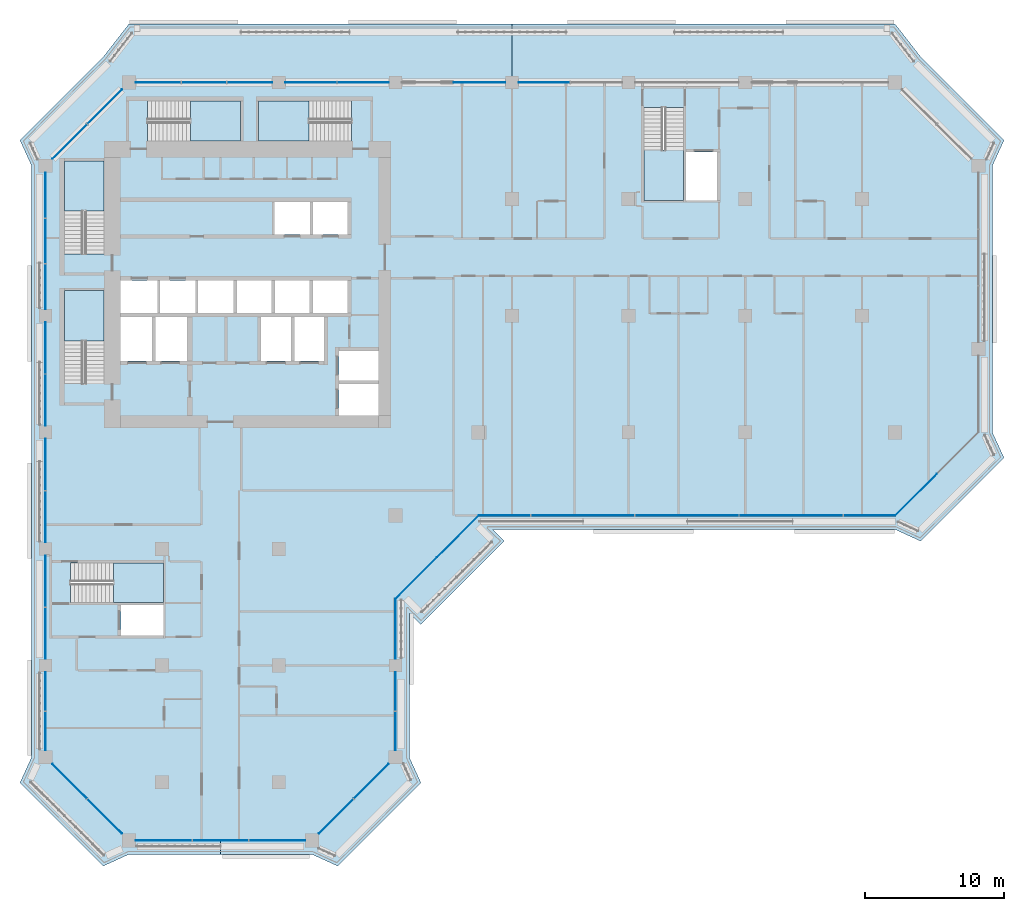
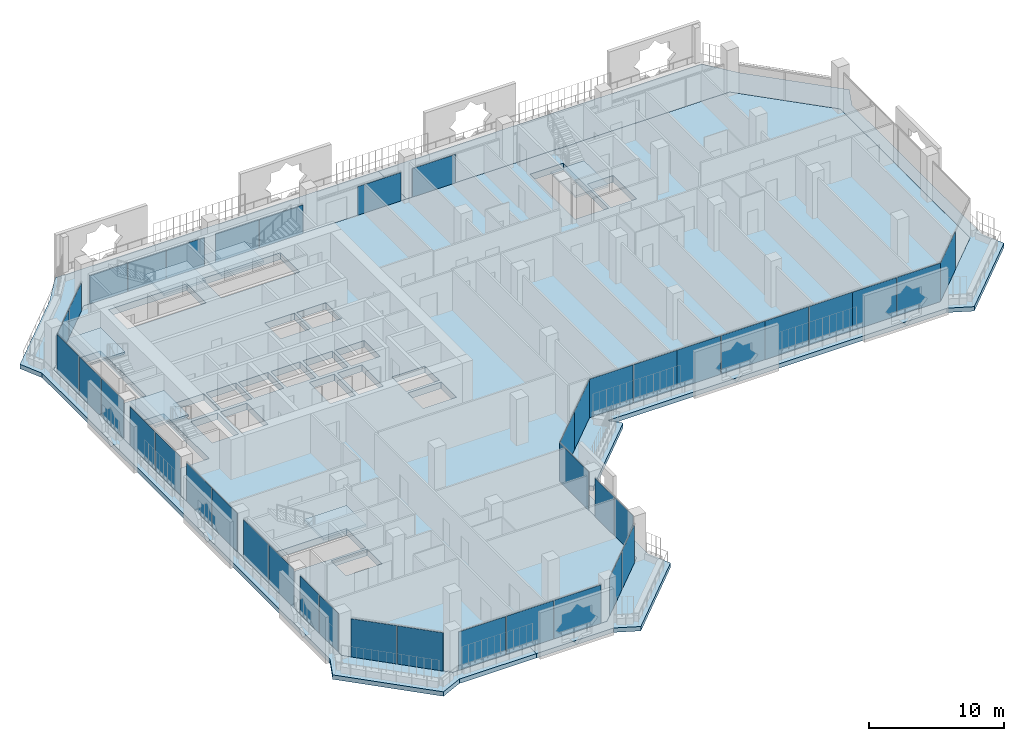
# One storey, part 8 of 22: 41 plates, 9 slabs, 16 elements without a shape of their own.
"""IFC4 building model written with IfcOpenShell, lengths in metres."""

from ifc_helpers import new_model, si_unit, direction, frame, origin, origin_2d, place, context, subcontext, project, spatial, polyline, rectangle, outline, extrude, material, layer, layer_set, type_object, element, aggregate, save


model = new_model("IFC4")

# Units and contexts
model_context = context("Model", 3, precision=1e-05, world=origin(), true_north=direction((0.0, 1.0)))
body_context = subcontext(model_context, "Body", "Model", "MODEL_VIEW")
ifc_project = project(units=[si_unit("LENGTHUNIT", "METRE"), si_unit("AREAUNIT", "SQUARE_METRE"), si_unit("VOLUMEUNIT", "CUBIC_METRE"), si_unit("PLANEANGLEUNIT", "RADIAN"), si_unit("MASSUNIT", "GRAM", prefix="KILO")], contexts=[model_context])

# Site, building, storey
site_placement = place(None, origin())
site = spatial("IfcSite", under=ifc_project, at=site_placement, CompositionType="ELEMENT")
building_placement = place(site_placement, origin())
building = spatial("IfcBuilding", under=site, at=building_placement, Name="Kawkab Arch Medical Tower", CompositionType="ELEMENT")
storey_placement = place(building_placement, frame((0.0, 0.0, 196.199951171875)))
storey = spatial("IfcBuildingStorey", under=building, at=storey_placement, Name="L45", CompositionType="ELEMENT", Elevation=196.199951171875)

# Curtain wall, plates
ifc_material_1 = material(Name="Bronze anodised aluminium curtain wall frame", Category="aluminium")
ifc_layer_1 = layer(ifc_material_1, 0.159912109375)
ifc_layer_set_1 = layer_set([ifc_layer_1], Name="Bronze anodised aluminium curtain wall frame")
curtain_wall_type_1 = type_object("IfcCurtainWallType", Name="CW1 ward curtain wall", PredefinedType="NOTDEFINED", material=ifc_layer_set_1)
placement_1 = place(storey_placement, origin())
curtain_wall_1 = element("IfcCurtainWall", 1, at=placement_1, inside=storey, type_object=curtain_wall_type_1, Name="CW1 Ward curtain wall R01", PredefinedType="NOTDEFINED")
ifc_material_2 = material(Name="Tinted insulating glass, bronze low-e coating", Category="glass")
ifc_layer_2 = layer(ifc_material_2, 0.031982421875)
ifc_layer_set_2 = layer_set([ifc_layer_2], Name="Tinted insulating glass, bronze low-e coating")
plate_type_1 = type_object("IfcPlateType", Name="CW1 glazing unit 32", PredefinedType="CURTAIN_PANEL", material=ifc_layer_set_2)
plate_1_placement = place(storey_placement, frame((0.0, -8.12255859375, 0.0), z_axis=(0.0, 0.0, 1.0), x_axis=(0.0, -1.0, 0.0)))
plate_1 = element("IfcPlate", 2, at=plate_1_placement, type_object=plate_type_1, Name="CW1 glazing unit 1.1", PredefinedType="CURTAIN_PANEL", context=body_context, shape_type="SweptSolid", body=[
    extrude(rectangle(XDim=3.2451171875, YDim=0.031982421875, at=origin_2d()), origin(), (0.0, 0.0, 1.0), 3.47998046875),
])
plate_2_placement = place(storey_placement, frame((0.0, -11.41259765625, 0.0), z_axis=(0.0, 0.0, 1.0), x_axis=(0.0, -1.0, 0.0)))
plate_2 = element("IfcPlate", 3, at=plate_2_placement, type_object=plate_type_1, Name="CW1 glazing unit 1.2", PredefinedType="CURTAIN_PANEL", context=body_context, shape_type="SweptSolid", body=[
    extrude(rectangle(XDim=3.215087890625, YDim=0.031982421875, at=origin_2d()), origin(), (0.0, 0.0, 1.0), 3.47998046875),
])
plate_3_placement = place(storey_placement, frame((0.0, -14.702392578125, 0.0), z_axis=(0.0, 0.0, 1.0), x_axis=(0.0, -1.0, 0.0)))
plate_3 = element("IfcPlate", 4, at=plate_3_placement, type_object=plate_type_1, Name="CW1 glazing unit 1.3", PredefinedType="CURTAIN_PANEL", context=body_context, shape_type="SweptSolid", body=[
    extrude(rectangle(XDim=3.2451171875, YDim=0.031982421875, at=origin_2d()), origin(), (0.0, 0.0, 1.0), 3.47998046875),
])
plate_4_placement = place(storey_placement, frame((0.0, -19.12255859375, 0.0), z_axis=(0.0, 0.0, 1.0), x_axis=(0.0, -1.0, 0.0)))
plate_4 = element("IfcPlate", 5, at=plate_4_placement, type_object=plate_type_1, Name="CW1 glazing unit 2.1", PredefinedType="CURTAIN_PANEL", context=body_context, shape_type="SweptSolid", body=[
    extrude(rectangle(XDim=3.695068359375, YDim=0.031982421875, at=origin_2d()), origin(), (0.0, 0.0, 1.0), 3.47998046875),
])
plate_5_placement = place(storey_placement, frame((0.0, -22.87744140625, 0.0), z_axis=(0.0, 0.0, 1.0), x_axis=(0.0, -1.0, 0.0)))
plate_5 = element("IfcPlate", 6, at=plate_5_placement, type_object=plate_type_1, Name="CW1 glazing unit 2.2", PredefinedType="CURTAIN_PANEL", context=body_context, shape_type="SweptSolid", body=[
    extrude(rectangle(XDim=3.695068359375, YDim=0.031982421875, at=origin_2d()), origin(), (0.0, 0.0, 1.0), 3.47998046875),
])
plate_6_placement = place(storey_placement, frame((0.0, -27.5224609375, 0.0), z_axis=(0.0, 0.0, 1.0), x_axis=(0.0, -1.0, 0.0)))
plate_6 = element("IfcPlate", 7, at=plate_6_placement, type_object=plate_type_1, Name="CW1 glazing unit 3.1", PredefinedType="CURTAIN_PANEL", context=body_context, shape_type="SweptSolid", body=[
    extrude(rectangle(XDim=3.695068359375, YDim=0.031982421875, at=origin_2d()), origin(), (0.0, 0.0, 1.0), 3.47998046875),
])
plate_7_placement = place(storey_placement, frame((0.0, -31.277587890625, 0.0), z_axis=(0.0, 0.0, 1.0), x_axis=(0.0, -1.0, 0.0)))
plate_7 = element("IfcPlate", 8, at=plate_7_placement, type_object=plate_type_1, Name="CW1 glazing unit 3.2", PredefinedType="CURTAIN_PANEL", context=body_context, shape_type="SweptSolid", body=[
    extrude(rectangle(XDim=3.695068359375, YDim=0.031982421875, at=origin_2d()), origin(), (0.0, 0.0, 1.0), 3.47998046875),
])
plate_8_placement = place(storey_placement, frame((0.0, -35.922607421875, 0.0), z_axis=(0.0, 0.0, 1.0), x_axis=(0.0, -1.0, 0.0)))
plate_8 = element("IfcPlate", 9, at=plate_8_placement, type_object=plate_type_1, Name="CW1 glazing unit 4.1", PredefinedType="CURTAIN_PANEL", context=body_context, shape_type="SweptSolid", body=[
    extrude(rectangle(XDim=3.695068359375, YDim=0.031982421875, at=origin_2d()), origin(), (0.0, 0.0, 1.0), 3.47998046875),
])
plate_9_placement = place(storey_placement, frame((0.0, -39.677490234375, 0.0), z_axis=(0.0, 0.0, 1.0), x_axis=(0.0, -1.0, 0.0)))
plate_9 = element("IfcPlate", 10, at=plate_9_placement, type_object=plate_type_1, Name="CW1 glazing unit 4.2", PredefinedType="CURTAIN_PANEL", context=body_context, shape_type="SweptSolid", body=[
    extrude(rectangle(XDim=3.695068359375, YDim=0.031982421875, at=origin_2d()), origin(), (0.0, 0.0, 1.0), 3.47998046875),
])
plate_10_placement = place(storey_placement, frame((0.0, -43.8662109375, 0.0), z_axis=(0.0, 0.0, 1.0), x_axis=(0.0, -1.0, 0.0)))
plate_10 = element("IfcPlate", 11, at=plate_10_placement, type_object=plate_type_1, Name="CW1 glazing unit 5.1", PredefinedType="CURTAIN_PANEL", context=body_context, shape_type="SweptSolid", body=[
    extrude(rectangle(XDim=2.782470703125, YDim=0.031982421875, at=origin_2d()), origin(), (0.0, 0.0, 1.0), 3.47998046875),
])
plate_11_placement = place(storey_placement, frame((0.0, -46.708740234375, 0.0), z_axis=(0.0, 0.0, 1.0), x_axis=(0.0, -1.0, 0.0)))
plate_11 = element("IfcPlate", 12, at=plate_11_placement, type_object=plate_type_1, Name="CW1 glazing unit 5.2", PredefinedType="CURTAIN_PANEL", context=body_context, shape_type="SweptSolid", body=[
    extrude(rectangle(XDim=2.782470703125, YDim=0.031982421875, at=origin_2d()), origin(), (0.0, 0.0, 1.0), 3.47998046875),
])
aggregate(curtain_wall_1, [plate_1, plate_2, plate_3, plate_4, plate_5, plate_6, plate_7, plate_8, plate_9, plate_10, plate_11])

curtain_wall_2 = element("IfcCurtainWall", 13, at=placement_1, inside=storey, type_object=curtain_wall_type_1, Name="CW1 Ward curtain wall R03", PredefinedType="NOTDEFINED")
plate_12_placement = place(storey_placement, frame((8.518310546875, -54.60009765625, 0.0), z_axis=(0.0, 0.0, 1.0), x_axis=(1.0, 0.0, 0.0)))
plate_12 = element("IfcPlate", 14, at=plate_12_placement, type_object=plate_type_1, Name="CW1 glazing unit 1.1", PredefinedType="CURTAIN_PANEL", context=body_context, shape_type="SweptSolid", body=[
    extrude(rectangle(XDim=4.03662109375, YDim=0.031982421875, at=origin_2d()), origin(), (0.0, 0.0, 1.0), 3.47998046875),
])
plate_13_placement = place(storey_placement, frame((12.60009765625, -54.60009765625, 0.0), z_axis=(0.0, 0.0, 1.0), x_axis=(1.0, 0.0, 0.0)))
plate_13 = element("IfcPlate", 15, at=plate_13_placement, type_object=plate_type_1, Name="CW1 glazing unit 1.2", PredefinedType="CURTAIN_PANEL", context=body_context, shape_type="SweptSolid", body=[
    extrude(rectangle(XDim=4.006591796875, YDim=0.031982421875, at=origin_2d()), origin(), (0.0, 0.0, 1.0), 3.47998046875),
])
plate_14_placement = place(storey_placement, frame((16.681640625, -54.60009765625, 0.0), z_axis=(0.0, 0.0, 1.0), x_axis=(1.0, 0.0, 0.0)))
plate_14 = element("IfcPlate", 16, at=plate_14_placement, type_object=plate_type_1, Name="CW1 glazing unit 1.3", PredefinedType="CURTAIN_PANEL", context=body_context, shape_type="SweptSolid", body=[
    extrude(rectangle(XDim=4.03662109375, YDim=0.031982421875, at=origin_2d()), origin(), (0.0, 0.0, 1.0), 3.47998046875),
])
aggregate(curtain_wall_2, [plate_12, plate_13, plate_14])

curtain_wall_3 = element("IfcCurtainWall", 17, at=placement_1, inside=storey, type_object=curtain_wall_type_1, Name="CW1 Ward curtain wall R05", PredefinedType="NOTDEFINED")
plate_15_placement = place(storey_placement, frame((25.199951171875, -46.708740234375, 0.0), z_axis=(0.0, 0.0, 1.0), x_axis=(0.0, 1.0, 0.0)))
plate_15 = element("IfcPlate", 18, at=plate_15_placement, type_object=plate_type_1, Name="CW1 glazing unit 1.1", PredefinedType="CURTAIN_PANEL", context=body_context, shape_type="SweptSolid", body=[
    extrude(rectangle(XDim=2.782470703125, YDim=0.031982421875, at=origin_2d()), origin(), (0.0, 0.0, 1.0), 3.47998046875),
])
plate_16_placement = place(storey_placement, frame((25.199951171875, -43.8662109375, 0.0), z_axis=(0.0, 0.0, 1.0), x_axis=(0.0, 1.0, 0.0)))
plate_16 = element("IfcPlate", 19, at=plate_16_placement, type_object=plate_type_1, Name="CW1 glazing unit 1.2", PredefinedType="CURTAIN_PANEL", context=body_context, shape_type="SweptSolid", body=[
    extrude(rectangle(XDim=2.782470703125, YDim=0.031982421875, at=origin_2d()), origin(), (0.0, 0.0, 1.0), 3.47998046875),
])
plate_17_placement = place(storey_placement, frame((25.199951171875, -39.362548828125, 0.0), z_axis=(0.0, 0.0, 1.0), x_axis=(0.0, 1.0, 0.0)))
plate_17 = element("IfcPlate", 20, at=plate_17_placement, type_object=plate_type_1, Name="CW1 glazing unit 2.1", PredefinedType="CURTAIN_PANEL", context=body_context, shape_type="SweptSolid", body=[
    extrude(rectangle(XDim=4.324951171875, YDim=0.031982421875, at=origin_2d()), origin(), (0.0, 0.0, 1.0), 3.47998046875),
])
aggregate(curtain_wall_3, [plate_15, plate_16, plate_17])

curtain_wall_4 = element("IfcCurtainWall", 21, at=placement_1, inside=storey, type_object=curtain_wall_type_1, Name="CW1 Ward curtain wall R07", PredefinedType="NOTDEFINED")
plate_18_placement = place(storey_placement, frame((33.06005859375, -31.199951171875, 0.0), z_axis=(0.0, 0.0, 1.0), x_axis=(1.0, 0.0, 0.0)))
plate_18 = element("IfcPlate", 22, at=plate_18_placement, type_object=plate_type_1, Name="CW1 glazing unit 1.1", PredefinedType="CURTAIN_PANEL", context=body_context, shape_type="SweptSolid", body=[
    extrude(rectangle(XDim=3.719970703125, YDim=0.031982421875, at=origin_2d()), origin(), (0.0, 0.0, 1.0), 3.47998046875),
])
plate_19_placement = place(storey_placement, frame((36.840087890625, -31.199951171875, 0.0), z_axis=(0.0, 0.0, 1.0), x_axis=(1.0, 0.0, 0.0)))
plate_19 = element("IfcPlate", 23, at=plate_19_placement, type_object=plate_type_1, Name="CW1 glazing unit 1.2", PredefinedType="CURTAIN_PANEL", context=body_context, shape_type="SweptSolid", body=[
    extrude(rectangle(XDim=3.719970703125, YDim=0.031982421875, at=origin_2d()), origin(), (0.0, 0.0, 1.0), 3.47998046875),
])
plate_20_placement = place(storey_placement, frame((40.56005859375, -31.199951171875, 0.0), z_axis=(0.0, 0.0, 1.0), x_axis=(1.0, 0.0, 0.0)))
plate_20 = element("IfcPlate", 24, at=plate_20_placement, type_object=plate_type_1, Name="CW1 glazing unit 2.1", PredefinedType="CURTAIN_PANEL", context=body_context, shape_type="SweptSolid", body=[
    extrude(rectangle(XDim=3.719970703125, YDim=0.031982421875, at=origin_2d()), origin(), (0.0, 0.0, 1.0), 3.47998046875),
])
plate_21_placement = place(storey_placement, frame((44.340087890625, -31.199951171875, 0.0), z_axis=(0.0, 0.0, 1.0), x_axis=(1.0, 0.0, 0.0)))
plate_21 = element("IfcPlate", 25, at=plate_21_placement, type_object=plate_type_1, Name="CW1 glazing unit 2.2", PredefinedType="CURTAIN_PANEL", context=body_context, shape_type="SweptSolid", body=[
    extrude(rectangle(XDim=3.719970703125, YDim=0.031982421875, at=origin_2d()), origin(), (0.0, 0.0, 1.0), 3.47998046875),
])
plate_22_placement = place(storey_placement, frame((48.06005859375, -31.199951171875, 0.0), z_axis=(0.0, 0.0, 1.0), x_axis=(1.0, 0.0, 0.0)))
plate_22 = element("IfcPlate", 26, at=plate_22_placement, type_object=plate_type_1, Name="CW1 glazing unit 3.1", PredefinedType="CURTAIN_PANEL", context=body_context, shape_type="SweptSolid", body=[
    extrude(rectangle(XDim=3.719970703125, YDim=0.031982421875, at=origin_2d()), origin(), (0.0, 0.0, 1.0), 3.47998046875),
])
plate_23_placement = place(storey_placement, frame((51.840087890625, -31.199951171875, 0.0), z_axis=(0.0, 0.0, 1.0), x_axis=(1.0, 0.0, 0.0)))
plate_23 = element("IfcPlate", 27, at=plate_23_placement, type_object=plate_type_1, Name="CW1 glazing unit 3.2", PredefinedType="CURTAIN_PANEL", context=body_context, shape_type="SweptSolid", body=[
    extrude(rectangle(XDim=3.719970703125, YDim=0.031982421875, at=origin_2d()), origin(), (0.0, 0.0, 1.0), 3.47998046875),
])
plate_24_placement = place(storey_placement, frame((55.56005859375, -31.199951171875, 0.0), z_axis=(0.0, 0.0, 1.0), x_axis=(1.0, 0.0, 0.0)))
plate_24 = element("IfcPlate", 28, at=plate_24_placement, type_object=plate_type_1, Name="CW1 glazing unit 4.1", PredefinedType="CURTAIN_PANEL", context=body_context, shape_type="SweptSolid", body=[
    extrude(rectangle(XDim=3.719970703125, YDim=0.031982421875, at=origin_2d()), origin(), (0.0, 0.0, 1.0), 3.47998046875),
])
plate_25_placement = place(storey_placement, frame((59.340087890625, -31.199951171875, 0.0), z_axis=(0.0, 0.0, 1.0), x_axis=(1.0, 0.0, 0.0)))
plate_25 = element("IfcPlate", 29, at=plate_25_placement, type_object=plate_type_1, Name="CW1 glazing unit 4.2", PredefinedType="CURTAIN_PANEL", context=body_context, shape_type="SweptSolid", body=[
    extrude(rectangle(XDim=3.719970703125, YDim=0.031982421875, at=origin_2d()), origin(), (0.0, 0.0, 1.0), 3.47998046875),
])
aggregate(curtain_wall_4, [plate_18, plate_19, plate_20, plate_21, plate_22, plate_23, plate_24, plate_25])

curtain_wall_5 = element("IfcCurtainWall", 30, at=placement_1, inside=storey, type_object=curtain_wall_type_1, Name="CW1 Ward curtain wall R11", PredefinedType="NOTDEFINED")
plate_26_placement = place(storey_placement, frame((35.922607421875, 0.0, 0.0), z_axis=(0.0, 0.0, 1.0), x_axis=(-1.0, 0.0, 0.0)))
plate_26 = element("IfcPlate", 31, at=plate_26_placement, type_object=plate_type_1, Name="CW1 glazing unit 3.2", PredefinedType="CURTAIN_PANEL", context=body_context, shape_type="SweptSolid", body=[
    extrude(rectangle(XDim=3.695068359375, YDim=0.031982421875, at=origin_2d()), origin(), (0.0, 0.0, 1.0), 2.580078125),
])
plate_27_placement = place(storey_placement, frame((31.262451171875, 0.0, 0.0), z_axis=(0.0, 0.0, 1.0), x_axis=(-1.0, 0.0, 0.0)))
plate_27 = element("IfcPlate", 32, at=plate_27_placement, type_object=plate_type_1, Name="CW1 glazing unit 4.1", PredefinedType="CURTAIN_PANEL", context=body_context, shape_type="SweptSolid", body=[
    extrude(rectangle(XDim=3.72509765625, YDim=0.031982421875, at=origin_2d()), origin(), (0.0, 0.0, 1.0), 2.580078125),
])
plate_28_placement = place(storey_placement, frame((22.87744140625, 0.0, 0.0), z_axis=(0.0, 0.0, 1.0), x_axis=(-1.0, 0.0, 0.0)))
plate_28 = element("IfcPlate", 33, at=plate_28_placement, type_object=plate_type_1, Name="CW1 glazing unit 5.1", PredefinedType="CURTAIN_PANEL", context=body_context, shape_type="SweptSolid", body=[
    extrude(rectangle(XDim=3.695068359375, YDim=0.031982421875, at=origin_2d()), origin(), (0.0, 0.0, 1.0), 2.580078125),
])
plate_29_placement = place(storey_placement, frame((19.12255859375, 0.0, 0.0), z_axis=(0.0, 0.0, 1.0), x_axis=(-1.0, 0.0, 0.0)))
plate_29 = element("IfcPlate", 34, at=plate_29_placement, type_object=plate_type_1, Name="CW1 glazing unit 5.2", PredefinedType="CURTAIN_PANEL", context=body_context, shape_type="SweptSolid", body=[
    extrude(rectangle(XDim=3.695068359375, YDim=0.031982421875, at=origin_2d()), origin(), (0.0, 0.0, 1.0), 2.580078125),
])
plate_30_placement = place(storey_placement, frame((14.702392578125, 0.0, 0.0), z_axis=(0.0, 0.0, 1.0), x_axis=(-1.0, 0.0, 0.0)))
plate_30 = element("IfcPlate", 35, at=plate_30_placement, type_object=plate_type_1, Name="CW1 glazing unit 6.1", PredefinedType="CURTAIN_PANEL", context=body_context, shape_type="SweptSolid", body=[
    extrude(rectangle(XDim=3.2451171875, YDim=0.031982421875, at=origin_2d()), origin(), (0.0, 0.0, 1.0), 2.580078125),
])
plate_31_placement = place(storey_placement, frame((11.41259765625, 0.0, 0.0), z_axis=(0.0, 0.0, 1.0), x_axis=(-1.0, 0.0, 0.0)))
plate_31 = element("IfcPlate", 36, at=plate_31_placement, type_object=plate_type_1, Name="CW1 glazing unit 6.2", PredefinedType="CURTAIN_PANEL", context=body_context, shape_type="SweptSolid", body=[
    extrude(rectangle(XDim=3.215087890625, YDim=0.031982421875, at=origin_2d()), origin(), (0.0, 0.0, 1.0), 2.580078125),
])
plate_32_placement = place(storey_placement, frame((8.12255859375, 0.0, 0.0), z_axis=(0.0, 0.0, 1.0), x_axis=(-1.0, 0.0, 0.0)))
plate_32 = element("IfcPlate", 37, at=plate_32_placement, type_object=plate_type_1, Name="CW1 glazing unit 6.3", PredefinedType="CURTAIN_PANEL", context=body_context, shape_type="SweptSolid", body=[
    extrude(rectangle(XDim=3.2451171875, YDim=0.031982421875, at=origin_2d()), origin(), (0.0, 0.0, 1.0), 2.580078125),
])
aggregate(curtain_wall_5, [plate_26, plate_27, plate_28, plate_29, plate_30, plate_31, plate_32])

ifc_material_3 = material(Name="Bronze anodised aluminium curtain wall frame", Category="aluminium")
ifc_layer_3 = layer(ifc_material_3, 0.159912109375)
ifc_layer_set_3 = layer_set([ifc_layer_3], Name="Bronze anodised aluminium curtain wall frame")
curtain_wall_type_2 = type_object("IfcCurtainWallType", Name="CW2 chamfer curtain wall", PredefinedType="NOTDEFINED", material=ifc_layer_set_3)
curtain_wall_6 = element("IfcCurtainWall", 38, at=placement_1, inside=storey, type_object=curtain_wall_type_2, Name="CW2 Chamfer curtain wall R02", PredefinedType="NOTDEFINED")
ifc_material_4 = material(Name="Tinted insulating glass, bronze low-e coating", Category="glass")
ifc_layer_4 = layer(ifc_material_4, 0.031982421875)
ifc_layer_set_4 = layer_set([ifc_layer_4], Name="Tinted insulating glass, bronze low-e coating")
plate_type_2 = type_object("IfcPlateType", Name="CW2 glazing unit 32", PredefinedType="CURTAIN_PANEL", material=ifc_layer_set_4)
plate_33_placement = place(storey_placement, frame((1.739501953125, -50.33935546875, 0.0), z_axis=(0.0, 0.0, 1.0), x_axis=(0.707106781187, -0.707106781187, 0.0)))
plate_33 = element("IfcPlate", 39, at=plate_33_placement, type_object=plate_type_2, Name="CW2 glazing unit 1.1", PredefinedType="CURTAIN_PANEL", context=body_context, shape_type="SweptSolid", body=[
    extrude(rectangle(XDim=3.505615234375, YDim=0.031982421875, at=origin_2d()), origin(), (0.0, 0.0, 1.0), 3.4599609375),
])
plate_34_placement = place(storey_placement, frame((4.260498046875, -52.860595703125, 0.0), z_axis=(0.0, 0.0, 1.0), x_axis=(0.707106781187, -0.707106781187, 0.0)))
plate_34 = element("IfcPlate", 40, at=plate_34_placement, type_object=plate_type_2, Name="CW2 glazing unit 1.2", PredefinedType="CURTAIN_PANEL", context=body_context, shape_type="SweptSolid", body=[
    extrude(rectangle(XDim=3.505615234375, YDim=0.031982421875, at=origin_2d()), origin(), (0.0, 0.0, 1.0), 3.4599609375),
])
aggregate(curtain_wall_6, [plate_33, plate_34])

curtain_wall_7 = element("IfcCurtainWall", 41, at=placement_1, inside=storey, type_object=curtain_wall_type_2, Name="CW2 Chamfer curtain wall R04", PredefinedType="NOTDEFINED")
plate_35_placement = place(storey_placement, frame((20.939453125, -52.860595703125, 0.0), z_axis=(0.0, 0.0, 1.0), x_axis=(0.707106781187, 0.707106781187, 0.0)))
plate_35 = element("IfcPlate", 42, at=plate_35_placement, type_object=plate_type_2, Name="CW2 glazing unit 1.1", PredefinedType="CURTAIN_PANEL", context=body_context, shape_type="SweptSolid", body=[
    extrude(rectangle(XDim=3.505615234375, YDim=0.031982421875, at=origin_2d()), origin(), (0.0, 0.0, 1.0), 3.4599609375),
])
plate_36_placement = place(storey_placement, frame((23.460693359375, -50.33935546875, 0.0), z_axis=(0.0, 0.0, 1.0), x_axis=(0.707106781187, 0.707106781187, 0.0)))
plate_36 = element("IfcPlate", 43, at=plate_36_placement, type_object=plate_type_2, Name="CW2 glazing unit 1.2", PredefinedType="CURTAIN_PANEL", context=body_context, shape_type="SweptSolid", body=[
    extrude(rectangle(XDim=3.505615234375, YDim=0.031982421875, at=origin_2d()), origin(), (0.0, 0.0, 1.0), 3.4599609375),
])
aggregate(curtain_wall_7, [plate_35, plate_36])

curtain_wall_8 = element("IfcCurtainWall", 44, at=placement_1, inside=storey, type_object=curtain_wall_type_2, Name="CW2 Chamfer curtain wall R06", PredefinedType="NOTDEFINED")
plate_37_placement = place(storey_placement, frame((26.699951171875, -35.699951171875, 0.0), z_axis=(0.0, 0.0, 1.0), x_axis=(0.707106781187, 0.707106781187, 0.0)))
plate_37 = element("IfcPlate", 45, at=plate_37_placement, type_object=plate_type_2, Name="CW2 glazing unit 1.1", PredefinedType="CURTAIN_PANEL", context=body_context, shape_type="SweptSolid", body=[
    extrude(rectangle(XDim=4.24267578125, YDim=0.031982421875, at=origin_2d()), origin(), (0.0, 0.0, 1.0), 3.4599609375),
])
plate_38_placement = place(storey_placement, frame((29.699951171875, -32.699951171875, 0.0), z_axis=(0.0, 0.0, 1.0), x_axis=(0.707106781187, 0.707106781187, 0.0)))
plate_38 = element("IfcPlate", 46, at=plate_38_placement, type_object=plate_type_2, Name="CW2 glazing unit 2.1", PredefinedType="CURTAIN_PANEL", context=body_context, shape_type="SweptSolid", body=[
    extrude(rectangle(XDim=4.24267578125, YDim=0.031982421875, at=origin_2d()), origin(), (0.0, 0.0, 1.0), 3.4599609375),
])
aggregate(curtain_wall_8, [plate_37, plate_38])

# Curtain wall, plate
curtain_wall_9 = element("IfcCurtainWall", 47, at=placement_1, inside=storey, type_object=curtain_wall_type_2, Name="CW2 Chamfer curtain wall R08", PredefinedType="NOTDEFINED")
plate_39_placement = place(storey_placement, frame((62.699951171875, -29.699951171875, 0.0), z_axis=(0.0, 0.0, 1.0), x_axis=(0.707106781187, 0.707106781187, 0.0)))
plate_39 = element("IfcPlate", 48, at=plate_39_placement, type_object=plate_type_2, Name="CW2 glazing unit 1.1", PredefinedType="CURTAIN_PANEL", context=body_context, shape_type="SweptSolid", body=[
    extrude(rectangle(XDim=4.24267578125, YDim=0.031982421875, at=origin_2d()), origin(), (0.0, 0.0, 1.0), 3.4599609375),
])
aggregate(curtain_wall_9, [plate_39])

# Curtain wall, plates
curtain_wall_10 = element("IfcCurtainWall", 49, at=placement_1, inside=storey, type_object=curtain_wall_type_2, Name="CW2 Chamfer curtain wall R12", PredefinedType="NOTDEFINED")
plate_40_placement = place(storey_placement, frame((4.260498046875, -1.739501953125, 0.0), z_axis=(0.0, 0.0, 1.0), x_axis=(-0.707106781187, -0.707106781187, 0.0)))
plate_40 = element("IfcPlate", 50, at=plate_40_placement, type_object=plate_type_2, Name="CW2 glazing unit 1.1", PredefinedType="CURTAIN_PANEL", context=body_context, shape_type="SweptSolid", body=[
    extrude(rectangle(XDim=3.505615234375, YDim=0.031982421875, at=origin_2d()), origin(), (0.0, 0.0, 1.0), 2.56005859375),
])
plate_41_placement = place(storey_placement, frame((1.739501953125, -4.260498046875, 0.0), z_axis=(0.0, 0.0, 1.0), x_axis=(-0.707106781187, -0.707106781187, 0.0)))
plate_41 = element("IfcPlate", 51, at=plate_41_placement, type_object=plate_type_2, Name="CW2 glazing unit 1.2", PredefinedType="CURTAIN_PANEL", context=body_context, shape_type="SweptSolid", body=[
    extrude(rectangle(XDim=3.505615234375, YDim=0.031982421875, at=origin_2d()), origin(), (0.0, 0.0, 1.0), 2.56005859375),
])
aggregate(curtain_wall_10, [plate_40, plate_41])

# Stair, slab
ifc_material_5 = material(Name="Concrete C40/50", Category="concrete")
stair_type = type_object("IfcStairType", Name="Exit stair 1350", PredefinedType="HALF_TURN_STAIR", material=ifc_material_5)
stair_1 = element("IfcStair", 52, at=placement_1, inside=storey, type_object=stair_type, Name="L45 Exit stair ST1", PredefinedType="HALF_TURN_STAIR")
ifc_material_6 = material(Name="Concrete C40/50", Category="concrete")
ifc_layer_5 = layer(ifc_material_6, 0.199951171875)
ifc_layer_set_5 = layer_set([ifc_layer_5], Name="Concrete C40/50")
slab_type_1 = type_object("IfcSlabType", Name="Exit stair landing 200", PredefinedType="LANDING", material=ifc_layer_set_5)
placement_2 = place(storey_placement, frame((0.0, 0.0, 1.900146484375)))
slab_1 = element("IfcSlab", 53, at=placement_2, type_object=slab_type_1, Name="ST1 landing 1", PredefinedType="LANDING", context=body_context, shape_type="SweptSolid", body=[
    extrude(outline(polyline([(4.199951171875, -9.27001953125), (4.199951171875, -5.64990234375), (1.35009765625, -5.64990234375), (1.35009765625, -9.27001953125), (4.199951171875, -9.27001953125)])), origin(), (0.0, 0.0, 1.0), 0.199951171875),
])
aggregate(stair_1, [slab_1])

stair_2 = element("IfcStair", 54, at=placement_1, inside=storey, type_object=stair_type, Name="L45 Exit stair ST2", PredefinedType="HALF_TURN_STAIR")
slab_2 = element("IfcSlab", 55, at=placement_2, type_object=slab_type_1, Name="ST2 landing 1", PredefinedType="LANDING", context=body_context, shape_type="SweptSolid", body=[
    extrude(outline(polyline([(4.199951171875, -18.6201171875), (4.199951171875, -15.0), (1.35009765625, -15.0), (1.35009765625, -18.6201171875), (4.199951171875, -18.6201171875)])), origin(), (0.0, 0.0, 1.0), 0.199951171875),
])
aggregate(stair_2, [slab_2])

stair_3 = element("IfcStair", 56, at=placement_1, inside=storey, type_object=stair_type, Name="L45 Exit stair ST3", PredefinedType="HALF_TURN_STAIR")
slab_3 = element("IfcSlab", 57, at=placement_2, type_object=slab_type_1, Name="ST3 landing 1", PredefinedType="LANDING", context=body_context, shape_type="SweptSolid", body=[
    extrude(outline(polyline([(10.429931640625, -4.199951171875), (14.050048828125, -4.199951171875), (14.050048828125, -1.35009765625), (10.429931640625, -1.35009765625), (10.429931640625, -4.199951171875)])), origin(), (0.0, 0.0, 1.0), 0.199951171875),
])
aggregate(stair_3, [slab_3])

stair_4 = element("IfcStair", 58, at=placement_1, inside=storey, type_object=stair_type, Name="L45 Exit stair ST4", PredefinedType="HALF_TURN_STAIR")
slab_4 = element("IfcSlab", 59, at=placement_2, type_object=slab_type_1, Name="ST4 landing 1", PredefinedType="LANDING", context=body_context, shape_type="SweptSolid", body=[
    extrude(outline(polyline([(18.969970703125, -1.35009765625), (15.35009765625, -1.35009765625), (15.35009765625, -4.199951171875), (18.969970703125, -4.199951171875), (18.969970703125, -1.35009765625)])), origin(), (0.0, 0.0, 1.0), 0.199951171875),
])
aggregate(stair_4, [slab_4])

stair_5 = element("IfcStair", 60, at=placement_1, inside=storey, type_object=stair_type, Name="L45 Exit stair ST5", PredefinedType="HALF_TURN_STAIR")
slab_5 = element("IfcSlab", 61, at=placement_2, type_object=slab_type_1, Name="ST5 landing 1", PredefinedType="LANDING", context=body_context, shape_type="SweptSolid", body=[
    extrude(outline(polyline([(43.10009765625, -4.8798828125), (43.10009765625, -8.5), (45.949951171875, -8.5), (45.949951171875, -4.8798828125), (43.10009765625, -4.8798828125)])), origin(), (0.0, 0.0, 1.0), 0.199951171875),
])
aggregate(stair_5, [slab_5])

stair_6 = element("IfcStair", 62, at=placement_1, inside=storey, type_object=stair_type, Name="L45 Exit stair ST6", PredefinedType="HALF_TURN_STAIR")
slab_6 = element("IfcSlab", 63, at=placement_2, type_object=slab_type_1, Name="ST6 landing 1", PredefinedType="LANDING", context=body_context, shape_type="SweptSolid", body=[
    extrude(outline(polyline([(4.8798828125, -37.449951171875), (8.5, -37.449951171875), (8.5, -34.60009765625), (4.8798828125, -34.60009765625), (4.8798828125, -37.449951171875)])), origin(), (0.0, 0.0, 1.0), 0.199951171875),
])
aggregate(stair_6, [slab_6])

# Slabs
ifc_material_7 = material(Name="Concrete C45/55", Category="concrete")
ifc_layer_6 = layer(ifc_material_7, 0.60009765625)
ifc_layer_set_6 = layer_set([ifc_layer_6], Name="Concrete C45/55")
slab_type_2 = type_object("IfcSlabType", Name="Flat plate 600 C45/55", PredefinedType="FLOOR", material=ifc_layer_set_6)
slab_7_placement = place(storey_placement, frame((0.0, 0.0, -0.599853515625)))
element("IfcSlab", 64, at=slab_7_placement, inside=storey, type_object=slab_type_2, Name="Floor slab L45", PredefinedType="FLOOR", context=body_context, shape_type="SweptSolid", body=[
    extrude(outline(polyline([(6.0, 0.0), (61.199951171875, 0.0), (67.199951171875, -6.0), (67.199951171875, -25.199951171875), (61.199951171875, -31.199951171875), (31.199951171875, -31.199951171875), (25.199951171875, -37.199951171875), (25.199951171875, -48.60009765625), (19.199951171875, -54.60009765625), (6.0, -54.60009765625), (0.0, -48.60009765625), (0.0, -6.0), (6.0, 0.0)]), holes=[polyline([(5.425048828125, -37.64990234375), (5.425048828125, -39.85009765625), (8.5, -39.85009765625), (8.5, -37.64990234375), (5.425048828125, -37.64990234375)]), polyline([(8.5, -37.449951171875), (8.5, -34.60009765625), (1.800048828125, -34.60009765625), (1.800048828125, -37.449951171875), (8.5, -37.449951171875)]), polyline([(5.39990234375, -20.050048828125), (7.675048828125, -20.050048828125), (7.675048828125, -16.89990234375), (5.39990234375, -16.89990234375), (5.39990234375, -20.050048828125)]), polyline([(10.199951171875, -20.050048828125), (10.199951171875, -16.89990234375), (7.925048828125, -16.89990234375), (7.925048828125, -20.050048828125), (10.199951171875, -20.050048828125)]), polyline([(4.199951171875, -21.699951171875), (4.199951171875, -15.0), (1.35009765625, -15.0), (1.35009765625, -21.699951171875), (4.199951171875, -21.699951171875)]), polyline([(5.39990234375, -16.60009765625), (8.050048828125, -16.60009765625), (8.050048828125, -14.25), (5.39990234375, -14.25), (5.39990234375, -16.60009765625)]), polyline([(10.800048828125, -14.25), (8.25, -14.25), (8.25, -16.60009765625), (10.800048828125, -16.60009765625), (10.800048828125, -14.25)]), polyline([(13.52490234375, -16.60009765625), (13.52490234375, -14.25), (11.0, -14.25), (11.0, -16.60009765625), (13.52490234375, -16.60009765625)]), polyline([(16.27490234375, -14.25), (13.77490234375, -14.25), (13.77490234375, -16.60009765625), (16.27490234375, -16.60009765625), (16.27490234375, -14.25)]), polyline([(4.199951171875, -12.35009765625), (4.199951171875, -5.64990234375), (1.35009765625, -5.64990234375), (1.35009765625, -12.35009765625), (4.199951171875, -12.35009765625)]), polyline([(7.35009765625, -4.199951171875), (14.050048828125, -4.199951171875), (14.050048828125, -1.35009765625), (7.35009765625, -1.35009765625), (7.35009765625, -4.199951171875)]), polyline([(24.0, -21.72509765625), (21.14990234375, -21.72509765625), (21.14990234375, -24.0), (24.0, -24.0), (24.0, -21.72509765625)]), polyline([(24.0, -19.35009765625), (21.14990234375, -19.35009765625), (21.14990234375, -21.47509765625), (24.0, -21.47509765625), (24.0, -19.35009765625)]), polyline([(15.52490234375, -20.050048828125), (17.675048828125, -20.050048828125), (17.675048828125, -16.89990234375), (15.52490234375, -16.89990234375), (15.52490234375, -20.050048828125)]), polyline([(17.925048828125, -20.050048828125), (20.050048828125, -20.050048828125), (20.050048828125, -16.89990234375), (17.925048828125, -16.89990234375), (17.925048828125, -20.050048828125)]), polyline([(16.52490234375, -14.25), (16.52490234375, -16.60009765625), (19.02490234375, -16.60009765625), (19.02490234375, -14.25), (16.52490234375, -14.25)]), polyline([(19.27490234375, -14.25), (19.27490234375, -16.60009765625), (21.75, -16.60009765625), (21.75, -14.25), (19.27490234375, -14.25)]), polyline([(16.5, -10.949951171875), (19.050048828125, -10.949951171875), (19.050048828125, -8.60009765625), (16.5, -8.60009765625), (16.5, -10.949951171875)]), polyline([(19.25, -8.60009765625), (19.25, -10.949951171875), (21.75, -10.949951171875), (21.75, -8.60009765625), (19.25, -8.60009765625)]), polyline([(46.14990234375, -8.5), (48.35009765625, -8.5), (48.35009765625, -5.02490234375), (46.14990234375, -5.02490234375), (46.14990234375, -8.5)]), polyline([(43.10009765625, -1.800048828125), (43.10009765625, -8.5), (45.949951171875, -8.5), (45.949951171875, -1.800048828125), (43.10009765625, -1.800048828125)]), polyline([(22.050048828125, -1.35009765625), (15.35009765625, -1.35009765625), (15.35009765625, -4.199951171875), (22.050048828125, -4.199951171875), (22.050048828125, -1.35009765625)])]), origin(), (0.0, 0.0, 1.0), 0.599853515625),
])
ifc_material_8 = material(Name="Concrete C40/50", Category="concrete")
ifc_layer_7 = layer(ifc_material_8, 0.39990234375)
ifc_layer_set_7 = layer_set([ifc_layer_7], Name="Concrete C40/50")
slab_type_3 = type_object("IfcSlabType", Name="Loggia slab 400", PredefinedType="FLOOR", material=ifc_layer_set_7)
placement_3 = place(storey_placement, frame((0.0, 0.0, -0.39990234375)))
element("IfcSlab", 65, at=placement_3, inside=storey, type_object=slab_type_3, Name="Loggia slab L45.3", PredefinedType="FLOOR", context=body_context, shape_type="SweptSolid", body=[
    extrude(outline(polyline([(-1.837890625, -50.43701171875), (-1.0, -48.60009765625), (-1.0, -6.0), (-1.837890625, -4.1630859375), (4.162109375, 1.837890625), (5.9990234375, 4.198974609375), (6.0009765625, 4.198974609375), (6.0009765625, 4.199951171875), (33.59912109375, 4.199951171875), (33.59912109375, 4.198974609375), (33.60009765625, 4.198974609375), (33.60009765625, 0.001953125), (33.59912109375, 0.001953125), (33.59912109375, 0.0009765625), (6.0, 0.0009765625), (-0.0009765625, -6.0), (-0.0009765625, -48.60009765625), (6.0, -54.60107421875), (12.59912109375, -54.60107421875), (12.59912109375, -54.60205078125), (12.60009765625, -54.60205078125), (12.60009765625, -55.59912109375), (12.59912109375, -55.59912109375), (12.59912109375, -55.60009765625), (6.0, -55.60009765625), (4.1630859375, -56.43798828125), (-1.837890625, -50.43701171875)])), origin(), (0.0, 0.0, 1.0), 0.39990234375),
])
element("IfcSlab", 66, at=placement_3, inside=storey, type_object=slab_type_3, Name="Loggia slab L45.4", PredefinedType="FLOOR", context=body_context, shape_type="SweptSolid", body=[
    extrude(outline(polyline([(12.60107421875, -55.60009765625), (12.60107421875, -55.59912109375), (12.60009765625, -55.59912109375), (12.60009765625, -54.60205078125), (12.60107421875, -54.60205078125), (12.60107421875, -54.60107421875), (19.199951171875, -54.60107421875), (25.199951171875, -48.60009765625), (25.199951171875, -37.200927734375), (31.200927734375, -31.199951171875), (61.199951171875, -31.199951171875), (67.200927734375, -25.199951171875), (67.200927734375, -6.0), (61.199951171875, 0.0009765625), (33.60107421875, 0.0009765625), (33.60107421875, 0.001953125), (33.60009765625, 0.001953125), (33.60009765625, 4.198974609375), (33.60107421875, 4.198974609375), (33.60107421875, 4.199951171875), (61.198974609375, 4.199951171875), (61.198974609375, 4.198974609375), (61.200927734375, 4.198974609375), (63.0380859375, 1.837890625), (69.0380859375, -4.1630859375), (68.199951171875, -6.0), (68.199951171875, -25.199951171875), (69.0380859375, -27.037109375), (63.037109375, -33.0380859375), (61.199951171875, -32.199951171875), (32.198974609375, -32.199951171875), (33.035888671875, -33.0380859375), (27.0380859375, -39.035888671875), (26.199951171875, -38.198974609375), (26.199951171875, -48.60009765625), (27.0380859375, -50.43701171875), (21.037109375, -56.43798828125), (19.199951171875, -55.60009765625), (12.60107421875, -55.60009765625)])), origin(), (0.0, 0.0, 1.0), 0.39990234375),
])

save(model, "model.ifc")
